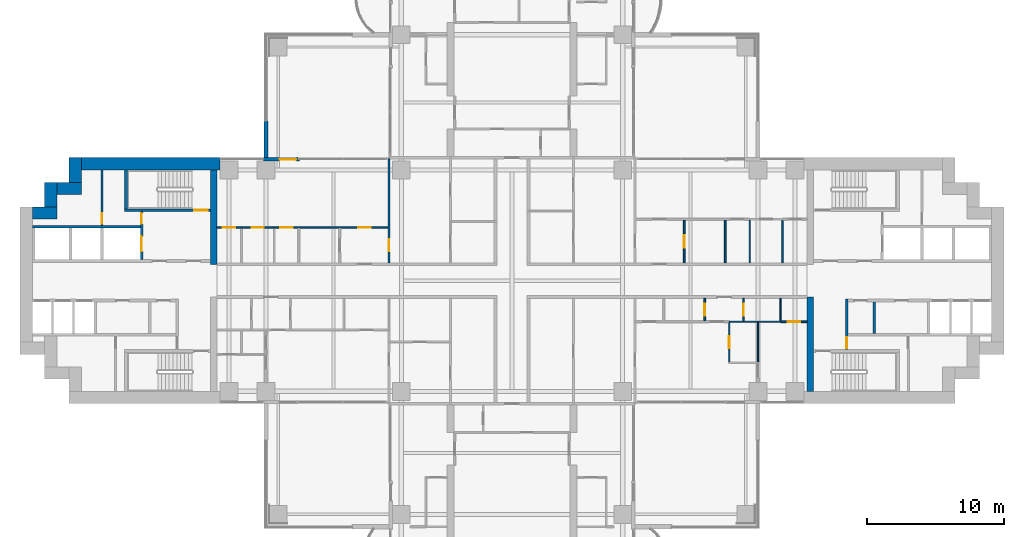
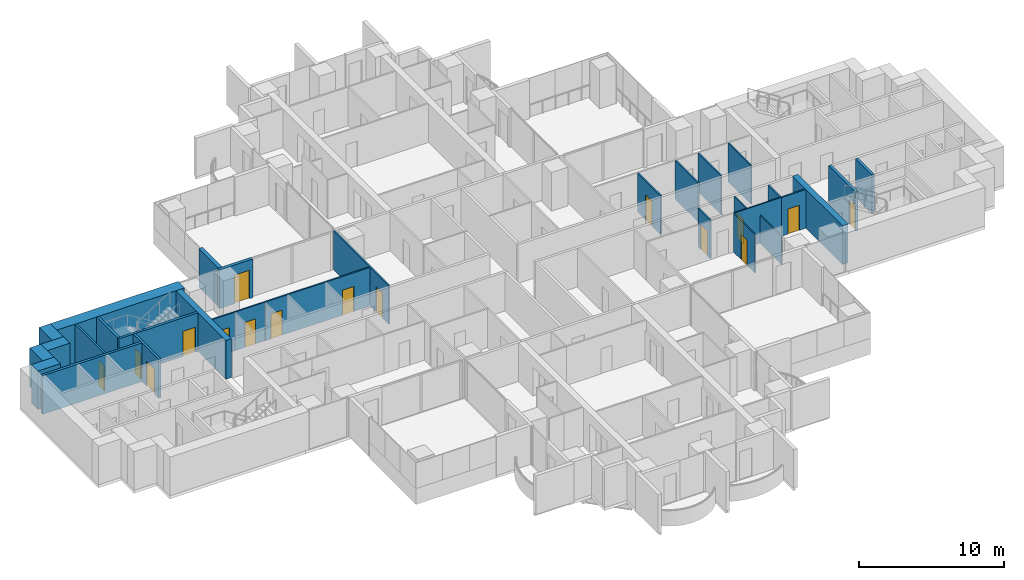
# One storey, part 13 of 21: 31 walls, 16 doors, 16 openings.
"""IFC4 building model written with IfcOpenShell, lengths in metres."""

from ifc_helpers import new_model, si_unit, direction, frame, frame_2d, origin, place, context, subcontext, project, spatial, rectangle, extrude, material, layer, layer_set, type_object, element, fill, save


model = new_model("IFC4")

# Units and contexts
model_context = context("Model", 3, precision=1e-05, world=origin(), true_north=direction((0.0, 1.0)))
body_context = subcontext(model_context, "Body", "Model", "MODEL_VIEW")
ifc_project = project(units=[si_unit("LENGTHUNIT", "METRE"), si_unit("AREAUNIT", "SQUARE_METRE"), si_unit("VOLUMEUNIT", "CUBIC_METRE"), si_unit("PLANEANGLEUNIT", "RADIAN"), si_unit("MASSUNIT", "GRAM", prefix="KILO")], contexts=[model_context])

# Site, building, storey
site_placement = place(None, origin())
site = spatial("IfcSite", under=ifc_project, at=site_placement, CompositionType="ELEMENT")
building_placement = place(site_placement, origin())
building = spatial("IfcBuilding", under=site, at=building_placement, Name="Perihelion Cross Residences", CompositionType="ELEMENT")
storey_placement = place(building_placement, frame((0.0, 0.0, 57.5)))
storey = spatial("IfcBuildingStorey", under=building, at=storey_placement, Name="L11", CompositionType="ELEMENT", Elevation=57.5)

# Wall, opening, door
ifc_material_1 = material(Name="Concrete C30/37, bronze-clad", Category="concrete")
ifc_layer_1 = layer(ifc_material_1, 0.25)
ifc_layer_set_1 = layer_set([ifc_layer_1], Name="Bronze-clad pier wall 250")
wall_type_1 = type_object("IfcWallType", Name="Bronze-clad pier wall 250", PredefinedType="SOLIDWALL", material=ifc_layer_set_1)
wall_1_placement = place(storey_placement, frame((-15.550048828125, 8.875, 0.0), z_axis=(0.0, 0.0, 1.0), x_axis=(-1.0, 0.0, 0.0)))
wall_1 = element("IfcWall", 1, at=wall_1_placement, inside=storey, type_object=wall_type_1, Name="Wall FW1 L11 west side north bay 1 pier", PredefinedType="SOLIDWALL", context=body_context, shape_type="SweptSolid", body=[
    extrude(rectangle(XDim=2.64990234375, YDim=0.25, at=frame_2d((1.324951171875, 0.0))), origin(), (0.0, 0.0, 1.0), 3.25),
])
opening_1_placement = place(wall_1_placement, frame((0.25, 0.0, 0.0)))
opening_1 = element("IfcOpeningElement", 2, at=opening_1_placement, cuts=wall_1, Name="Opening L11.E08", PredefinedType="OPENING", context=body_context, shape_type="SweptSolid", body=[
    extrude(rectangle(XDim=1.199951171875, YDim=2.39990234375, at=frame_2d((0.60009765625, 1.199951171875))), frame((0.0, 0.135009765625, 0.0), z_axis=(0.0, -1.0, 0.0), x_axis=(1.0, 0.0, 0.0)), (0.0, 0.0, 1.0), 0.27001953125),
])
ifc_material_2 = material(Name="Bronze anodised aluminium, glazed", Category="aluminium")
door_type_1 = type_object("IfcDoorType", Name="Balcony door 1200 x 2400", OperationType="NOTDEFINED", PredefinedType="DOOR", material=ifc_material_2)
door_1_placement = place(opening_1_placement, origin())
door_1 = element("IfcDoor", 3, at=door_1_placement, inside=storey, type_object=door_type_1, Name="Door L11.E08 west side north bay 1", OperationType="SINGLE_SWING_LEFT", OverallHeight=2.39990234375, OverallWidth=1.199951171875, PredefinedType="DOOR", context=body_context, shape_type="SweptSolid", body=[
    extrude(rectangle(XDim=1.199951171875, YDim=2.39990234375, at=frame_2d((0.60009765625, 1.199951171875))), frame((0.0, 0.02490234375, 0.0), z_axis=(0.0, -1.0, 0.0), x_axis=(1.0, 0.0, 0.0)), (0.0, 0.0, 1.0), 0.050048828125),
])
fill(opening_1, door_1)

# Walls
ifc_material_3 = material(Name="Concrete C60/75", Category="concrete")
ifc_layer_2 = layer(ifc_material_3, 0.449951171875)
ifc_layer_set_2 = layer_set([ifc_layer_2], Name="Core wall, inner 450")
wall_type_2 = type_object("IfcWallType", Name="Core wall, inner 450", PredefinedType="SHEAR", material=ifc_layer_set_2)
for number, where, z_axis, x_axis, name in (
    (4, (21.824951171875, -8.10009765625, 0.0), (0.0, 0.0, 1.0), (0.0, 1.0, 0.0), "East core core wall, inner"),
    (5, (-21.824951171875, 1.199951171875, 0.0), (0.0, 0.0, 1.0), (0.0, 1.0, 0.0), "West core core wall, inner"),
):
    element("IfcWall", number, at=place(storey_placement, frame(where, z_axis=z_axis, x_axis=x_axis)), inside=storey, type_object=wall_type_2, Name=name, PredefinedType="SHEAR", context=body_context, shape_type="SweptSolid", body=[
        extrude(rectangle(XDim=6.900146484375, YDim=0.449951171875, at=frame_2d((3.4501953125, 0.0))), origin(), (0.0, 0.0, 1.0), 3.25),
    ])
ifc_material_4 = material(Name="Concrete C60/75", Category="concrete")
ifc_layer_3 = layer(ifc_material_4, 0.89990234375)
ifc_layer_set_3 = layer_set([ifc_layer_3], Name="Core wall, outer 900")
wall_type_3 = type_object("IfcWallType", Name="Core wall, outer 900", PredefinedType="SHEAR", material=ifc_layer_set_3)
for number, where, z_axis, x_axis, name in (
    (6, (-35.10009765625, 4.949951171875, 0.0), (0.0, 0.0, 1.0), (1.0, 0.0, 0.0), "West core core wall, outer"),
    (7, (-33.75, 5.39990234375, 0.0), (0.0, 0.0, 1.0), (0.0, 1.0, 0.0), "West core core wall, outer"),
    (8, (-33.300048828125, 6.75, 0.0), (0.0, 0.0, 1.0), (1.0, 0.0, 0.0), "West core core wall, outer"),
    (9, (-31.949951171875, 7.199951171875, 0.0), (0.0, 0.0, 1.0), (0.0, 1.0, 0.0), "West core core wall, outer"),
):
    element("IfcWall", number, at=place(storey_placement, frame(where, z_axis=z_axis, x_axis=x_axis)), inside=storey, type_object=wall_type_3, Name=name, PredefinedType="SHEAR", context=body_context, shape_type="SweptSolid", body=[
        extrude(rectangle(XDim=1.800048828125, YDim=0.89990234375, at=frame_2d((0.89990234375, 0.0))), origin(), (0.0, 0.0, 1.0), 3.25),
    ])
wall_2_placement = place(storey_placement, frame((-31.5, 8.550048828125, 0.0), z_axis=(0.0, 0.0, 1.0), x_axis=(1.0, 0.0, 0.0)))
element("IfcWall", 10, at=wall_2_placement, inside=storey, type_object=wall_type_3, Name="West core core wall, outer", PredefinedType="SHEAR", context=body_context, shape_type="SweptSolid", body=[
    extrude(rectangle(XDim=10.14990234375, YDim=0.89990234375, at=frame_2d((5.074951171875, 0.0))), origin(), (0.0, 0.0, 1.0), 3.25),
])

# Wall, opening, door
ifc_material_5 = material(Name="Concrete C50/60", Category="concrete")
ifc_layer_4 = layer(ifc_material_5, 0.199951171875)
ifc_layer_set_4 = layer_set([ifc_layer_4], Name="Lobby wall 200")
wall_type_4 = type_object("IfcWallType", Name="Lobby wall 200", PredefinedType="SOLIDWALL", material=ifc_layer_set_4)
wall_3_placement = place(storey_placement, frame((24.5, -5.050048828125, 0.0), z_axis=(0.0, 0.0, 1.0), x_axis=(0.0, 1.0, 0.0)))
wall_3 = element("IfcWall", 11, at=wall_3_placement, inside=storey, type_object=wall_type_4, Name="East core lobby wall", PredefinedType="SOLIDWALL", context=body_context, shape_type="SweptSolid", body=[
    extrude(rectangle(XDim=3.699951171875, YDim=0.199951171875, at=frame_2d((1.85009765625, 0.0))), origin(), (0.0, 0.0, 1.0), 3.25),
])
opening_2_placement = place(wall_3_placement, frame((0.10009765625, 0.0, 0.0)))
opening_2 = element("IfcOpeningElement", 12, at=opening_2_placement, cuts=wall_3, Name="Opening L11.C08", PredefinedType="OPENING", context=body_context, shape_type="SweptSolid", body=[
    extrude(rectangle(XDim=0.800048828125, YDim=2.10009765625, at=frame_2d((0.39990234375, 1.050048828125))), frame((0.0, 0.10986328125, 0.0), z_axis=(0.0, -1.0, 0.0), x_axis=(1.0, 0.0, 0.0)), (0.0, 0.0, 1.0), 0.219970703125),
])
ifc_material_6 = material(Name="Steel, powder coated", Category="steel")
door_type_2 = type_object("IfcDoorType", Name="Riser door 800", OperationType="SINGLE_SWING_LEFT", PredefinedType="DOOR", material=ifc_material_6)
door_2_placement = place(opening_2_placement, origin())
door_2 = element("IfcDoor", 13, at=door_2_placement, inside=storey, type_object=door_type_2, Name="East core riser door", OperationType="SINGLE_SWING_LEFT", OverallHeight=2.10009765625, OverallWidth=0.800048828125, PredefinedType="DOOR", context=body_context, shape_type="SweptSolid", body=[
    extrude(rectangle(XDim=0.800048828125, YDim=2.10009765625, at=frame_2d((0.39990234375, 1.050048828125))), frame((0.0, 0.02490234375, 0.0), z_axis=(0.0, -1.0, 0.0), x_axis=(1.0, 0.0, 0.0)), (0.0, 0.0, 1.0), 0.050048828125),
])
fill(opening_2, door_2)

ifc_material_7 = material(Name="Plasterboard partition")
ifc_layer_5 = layer(ifc_material_7, 0.1201171875)
ifc_layer_set_5 = layer_set([ifc_layer_5], Name="Partition wall 120")
wall_type_5 = type_object("IfcWallType", Name="Partition wall 120", PredefinedType="PARTITIONING", material=ifc_layer_set_5)
wall_4_placement = place(storey_placement, frame((12.60009765625, 4.43994140625, 0.0), z_axis=(0.0, 0.0, 1.0), x_axis=(0.0, -1.0, 0.0)))
wall_4 = element("IfcWall", 14, at=wall_4_placement, inside=storey, type_object=wall_type_5, Name="Partition L11 W011", PredefinedType="PARTITIONING", context=body_context, shape_type="SweptSolid", body=[
    extrude(rectangle(XDim=3.139892578125, YDim=0.1201171875, at=frame_2d((1.56982421875, 0.0))), origin(), (0.0, 0.0, 1.0), 3.25),
])
opening_3_placement = place(wall_4_placement, frame((1.1201171875, 0.0, 0.0)))
opening_3 = element("IfcOpeningElement", 15, at=opening_3_placement, cuts=wall_4, Name="Opening L11.A05", PredefinedType="OPENING", context=body_context, shape_type="SweptSolid", body=[
    extrude(rectangle(XDim=0.89990234375, YDim=2.10009765625, at=frame_2d((0.449951171875, 1.050048828125))), frame((0.0, 0.070068359375, 0.0), z_axis=(0.0, -1.0, 0.0), x_axis=(1.0, 0.0, 0.0)), (0.0, 0.0, 1.0), 0.14013671875),
])
ifc_material_8 = material(Name="Timber door leaf", Category="wood")
door_type_3 = type_object("IfcDoorType", Name="Interior room door 900 x 2100", OperationType="SINGLE_SWING_LEFT", PredefinedType="DOOR", material=ifc_material_8)
door_3_placement = place(opening_3_placement, origin())
door_3 = element("IfcDoor", 16, at=door_3_placement, inside=storey, type_object=door_type_3, Name="Door L11.A05", OperationType="SINGLE_SWING_LEFT", OverallHeight=2.10009765625, OverallWidth=0.89990234375, PredefinedType="DOOR", context=body_context, shape_type="SweptSolid", body=[
    extrude(rectangle(XDim=0.89990234375, YDim=2.10009765625, at=frame_2d((0.449951171875, 1.050048828125))), frame((0.0, 0.02490234375, 0.0), z_axis=(0.0, -1.0, 0.0), x_axis=(1.0, 0.0, 0.0)), (0.0, 0.0, 1.0), 0.050048828125),
])
fill(opening_3, door_3)

# Wall
wall_5_placement = place(storey_placement, frame((15.60009765625, 4.43994140625, 0.0), z_axis=(0.0, 0.0, 1.0), x_axis=(0.0, -1.0, 0.0)))
element("IfcWall", 17, at=wall_5_placement, inside=storey, type_object=wall_type_5, Name="Partition L11 W014", PredefinedType="PARTITIONING", context=body_context, shape_type="SweptSolid", body=[
    extrude(rectangle(XDim=3.139892578125, YDim=0.1201171875, at=frame_2d((1.56982421875, 0.0))), origin(), (0.0, 0.0, 1.0), 3.25),
])

# Wall, opening, door
wall_6_placement = place(storey_placement, frame((14.10009765625, -1.300048828125, 0.0), z_axis=(0.0, 0.0, 1.0), x_axis=(0.0, -1.0, 0.0)))
wall_6 = element("IfcWall", 18, at=wall_6_placement, inside=storey, type_object=wall_type_5, Name="Partition L11 W025", PredefinedType="PARTITIONING", context=body_context, shape_type="SweptSolid", body=[
    extrude(rectangle(XDim=1.639892578125, YDim=0.1201171875, at=frame_2d((0.81982421875, 0.0))), origin(), (0.0, 0.0, 1.0), 3.25),
])
opening_4_placement = place(wall_6_placement, frame((0.3701171875, 0.0, 0.0)))
opening_4 = element("IfcOpeningElement", 19, at=opening_4_placement, cuts=wall_6, Name="Opening L11.A11", PredefinedType="OPENING", context=body_context, shape_type="SweptSolid", body=[
    extrude(rectangle(XDim=0.89990234375, YDim=2.10009765625, at=frame_2d((0.449951171875, 1.050048828125))), frame((0.0, 0.070068359375, 0.0), z_axis=(0.0, -1.0, 0.0), x_axis=(1.0, 0.0, 0.0)), (0.0, 0.0, 1.0), 0.14013671875),
])
door_4_placement = place(opening_4_placement, origin())
door_4 = element("IfcDoor", 20, at=door_4_placement, inside=storey, type_object=door_type_3, Name="Door L11.A11", OperationType="SINGLE_SWING_RIGHT", OverallHeight=2.10009765625, OverallWidth=0.89990234375, PredefinedType="DOOR", context=body_context, shape_type="SweptSolid", body=[
    extrude(rectangle(XDim=0.89990234375, YDim=2.10009765625, at=frame_2d((0.449951171875, 1.050048828125))), frame((0.0, 0.02490234375, 0.0), z_axis=(0.0, -1.0, 0.0), x_axis=(1.0, 0.0, 0.0)), (0.0, 0.0, 1.0), 0.050048828125),
])
fill(opening_4, door_4)

wall_7_placement = place(storey_placement, frame((21.60009765625, -3.0, 0.0), z_axis=(0.0, 0.0, 1.0), x_axis=(-1.0, 0.0, 0.0)))
wall_7 = element("IfcWall", 21, at=wall_7_placement, inside=storey, type_object=wall_type_5, Name="Partition L11 W029", PredefinedType="PARTITIONING", context=body_context, shape_type="SweptSolid", body=[
    extrude(rectangle(XDim=1.9501953125, YDim=0.1201171875, at=frame_2d((0.97509765625, 0.0))), origin(), (0.0, 0.0, 1.0), 3.25),
])
opening_5_placement = place(wall_7_placement, frame((0.52490234375, 0.0, 0.0)))
opening_5 = element("IfcOpeningElement", 22, at=opening_5_placement, cuts=wall_7, Name="Opening L11.A17", PredefinedType="OPENING", context=body_context, shape_type="SweptSolid", body=[
    extrude(rectangle(XDim=0.89990234375, YDim=2.10009765625, at=frame_2d((0.449951171875, 1.050048828125))), frame((0.0, 0.070068359375, 0.0), z_axis=(0.0, -1.0, 0.0), x_axis=(1.0, 0.0, 0.0)), (0.0, 0.0, 1.0), 0.14013671875),
])
door_5_placement = place(opening_5_placement, origin())
door_5 = element("IfcDoor", 23, at=door_5_placement, inside=storey, type_object=door_type_3, Name="Door L11.A17", OperationType="SINGLE_SWING_RIGHT", OverallHeight=2.10009765625, OverallWidth=0.89990234375, PredefinedType="DOOR", context=body_context, shape_type="SweptSolid", body=[
    extrude(rectangle(XDim=0.89990234375, YDim=2.10009765625, at=frame_2d((0.449951171875, 1.050048828125))), frame((0.0, 0.02490234375, 0.0), z_axis=(0.0, -1.0, 0.0), x_axis=(1.0, 0.0, 0.0)), (0.0, 0.0, 1.0), 0.050048828125),
])
fill(opening_5, door_5)

# Wall, openings, doors
wall_8_placement = place(storey_placement, frame((-17.39990234375, 3.89990234375, 0.0), z_axis=(0.0, 0.0, 1.0), x_axis=(1.0, 0.0, 0.0)))
wall_8 = element("IfcWall", 24, at=wall_8_placement, inside=storey, type_object=wall_type_5, Name="Partition L11 W036", PredefinedType="PARTITIONING", context=body_context, shape_type="SweptSolid", body=[
    extrude(rectangle(XDim=8.4599609375, YDim=0.1201171875, at=frame_2d((4.22998046875, 0.0))), origin(), (0.0, 0.0, 1.0), 3.25),
])
opening_6_placement = place(wall_8_placement, frame((0.449951171875, 0.0, 0.0)))
opening_6 = element("IfcOpeningElement", 25, at=opening_6_placement, cuts=wall_8, Name="Opening L11.A21", PredefinedType="OPENING", context=body_context, shape_type="SweptSolid", body=[
    extrude(rectangle(XDim=0.89990234375, YDim=2.10009765625, at=frame_2d((0.449951171875, 1.050048828125))), frame((0.0, 0.070068359375, 0.0), z_axis=(0.0, -1.0, 0.0), x_axis=(1.0, 0.0, 0.0)), (0.0, 0.0, 1.0), 0.14013671875),
])
opening_7_placement = place(wall_8_placement, frame((6.14990234375, 0.0, 0.0)))
opening_7 = element("IfcOpeningElement", 26, at=opening_7_placement, cuts=wall_8, Name="Opening L11.A25", PredefinedType="OPENING", context=body_context, shape_type="SweptSolid", body=[
    extrude(rectangle(XDim=0.89990234375, YDim=2.10009765625, at=frame_2d((0.449951171875, 1.050048828125))), frame((0.0, 0.070068359375, 0.0), z_axis=(0.0, -1.0, 0.0), x_axis=(1.0, 0.0, 0.0)), (0.0, 0.0, 1.0), 0.14013671875),
])
door_6_placement = place(opening_6_placement, origin())
door_6 = element("IfcDoor", 27, at=door_6_placement, inside=storey, type_object=door_type_3, Name="Door L11.A21", OperationType="SINGLE_SWING_LEFT", OverallHeight=2.10009765625, OverallWidth=0.89990234375, PredefinedType="DOOR", context=body_context, shape_type="SweptSolid", body=[
    extrude(rectangle(XDim=0.89990234375, YDim=2.10009765625, at=frame_2d((0.449951171875, 1.050048828125))), frame((0.0, 0.02490234375, 0.0), z_axis=(0.0, -1.0, 0.0), x_axis=(1.0, 0.0, 0.0)), (0.0, 0.0, 1.0), 0.050048828125),
])
fill(opening_6, door_6)
door_7_placement = place(opening_7_placement, origin())
door_7 = element("IfcDoor", 28, at=door_7_placement, inside=storey, type_object=door_type_3, Name="Door L11.A25", OperationType="SINGLE_SWING_LEFT", OverallHeight=2.10009765625, OverallWidth=0.89990234375, PredefinedType="DOOR", context=body_context, shape_type="SweptSolid", body=[
    extrude(rectangle(XDim=0.89990234375, YDim=2.10009765625, at=frame_2d((0.449951171875, 1.050048828125))), frame((0.0, 0.02490234375, 0.0), z_axis=(0.0, -1.0, 0.0), x_axis=(1.0, 0.0, 0.0)), (0.0, 0.0, 1.0), 0.050048828125),
])
fill(opening_7, door_7)

# Wall, opening, door
wall_9_placement = place(storey_placement, frame((-9.0, 8.919921875, 0.0), z_axis=(0.0, 0.0, 1.0), x_axis=(0.0, -1.0, 0.0)))
wall_9 = element("IfcWall", 29, at=wall_9_placement, inside=storey, type_object=wall_type_5, Name="Partition L11 W037", PredefinedType="PARTITIONING", context=body_context, shape_type="SweptSolid", body=[
    extrude(rectangle(XDim=7.619873046875, YDim=0.1201171875, at=frame_2d((3.81005859375, 0.0))), origin(), (0.0, 0.0, 1.0), 3.25),
])
opening_8_placement = place(wall_9_placement, frame((5.8701171875, 0.0, 0.0)))
opening_8 = element("IfcOpeningElement", 30, at=opening_8_placement, cuts=wall_9, Name="Opening L11.A22", PredefinedType="OPENING", context=body_context, shape_type="SweptSolid", body=[
    extrude(rectangle(XDim=0.89990234375, YDim=2.10009765625, at=frame_2d((0.449951171875, 1.050048828125))), frame((0.0, 0.070068359375, 0.0), z_axis=(0.0, -1.0, 0.0), x_axis=(1.0, 0.0, 0.0)), (0.0, 0.0, 1.0), 0.14013671875),
])
door_8_placement = place(opening_8_placement, origin())
door_8 = element("IfcDoor", 31, at=door_8_placement, inside=storey, type_object=door_type_3, Name="Door L11.A22", OperationType="SINGLE_SWING_RIGHT", OverallHeight=2.10009765625, OverallWidth=0.89990234375, PredefinedType="DOOR", context=body_context, shape_type="SweptSolid", body=[
    extrude(rectangle(XDim=0.89990234375, YDim=2.10009765625, at=frame_2d((0.449951171875, 1.050048828125))), frame((0.0, 0.02490234375, 0.0), z_axis=(0.0, -1.0, 0.0), x_axis=(1.0, 0.0, 0.0)), (0.0, 0.0, 1.0), 0.050048828125),
])
fill(opening_8, door_8)

wall_10_placement = place(storey_placement, frame((-21.60009765625, 3.89990234375, 0.0), z_axis=(0.0, 0.0, 1.0), x_axis=(1.0, 0.0, 0.0)))
wall_10 = element("IfcWall", 32, at=wall_10_placement, inside=storey, type_object=wall_type_5, Name="Partition L11 W042", PredefinedType="PARTITIONING", context=body_context, shape_type="SweptSolid", body=[
    extrude(rectangle(XDim=1.800048828125, YDim=0.1201171875, at=frame_2d((0.89990234375, 0.0))), origin(), (0.0, 0.0, 1.0), 3.25),
])
opening_9_placement = place(wall_10_placement, frame((0.449951171875, 0.0, 0.0)))
opening_9 = element("IfcOpeningElement", 33, at=opening_9_placement, cuts=wall_10, Name="Opening L11.A19", PredefinedType="OPENING", context=body_context, shape_type="SweptSolid", body=[
    extrude(rectangle(XDim=0.89990234375, YDim=2.10009765625, at=frame_2d((0.449951171875, 1.050048828125))), frame((0.0, 0.070068359375, 0.0), z_axis=(0.0, -1.0, 0.0), x_axis=(1.0, 0.0, 0.0)), (0.0, 0.0, 1.0), 0.14013671875),
])
door_9_placement = place(opening_9_placement, origin())
door_9 = element("IfcDoor", 34, at=door_9_placement, inside=storey, type_object=door_type_3, Name="Door L11.A19", OperationType="SINGLE_SWING_RIGHT", OverallHeight=2.10009765625, OverallWidth=0.89990234375, PredefinedType="DOOR", context=body_context, shape_type="SweptSolid", body=[
    extrude(rectangle(XDim=0.89990234375, YDim=2.10009765625, at=frame_2d((0.449951171875, 1.050048828125))), frame((0.0, 0.02490234375, 0.0), z_axis=(0.0, -1.0, 0.0), x_axis=(1.0, 0.0, 0.0)), (0.0, 0.0, 1.0), 0.050048828125),
])
fill(opening_9, door_9)

# Wall
ifc_material_9 = material(Name="Precast concrete C50/60", Category="concrete")
ifc_layer_6 = layer(ifc_material_9, 0.300048828125)
ifc_layer_set_6 = layer_set([ifc_layer_6], Name="Precast concrete C50/60 blade wall 300")
wall_type_6 = type_object("IfcWallType", Name="Precast concrete C50/60 blade wall 300", PredefinedType="SOLIDWALL", material=ifc_layer_set_6)
wall_11_placement = place(storey_placement, frame((-18.0, 8.75, 0.0), z_axis=(0.0, 0.0, 1.0), x_axis=(0.0, 1.0, 0.0)))
element("IfcWall", 35, at=wall_11_placement, inside=storey, type_object=wall_type_6, Name="Wall BL1 L11 no. 2", PredefinedType="SOLIDWALL", context=body_context, shape_type="SweptSolid", body=[
    extrude(rectangle(XDim=2.949951171875, YDim=0.300048828125, at=frame_2d((1.47509765625, 0.0))), origin(), (0.0, 0.0, 1.0), 3.25),
])

# Wall, opening, door
ifc_material_10 = material(Name="Fire-rated board on steel stud", Category="steel")
ifc_layer_7 = layer(ifc_material_10, 0.14990234375)
ifc_layer_set_7 = layer_set([ifc_layer_7], Name="Riser wall 150")
wall_type_7 = type_object("IfcWallType", Name="Riser wall 150", PredefinedType="PARTITIONING", material=ifc_layer_set_7)
wall_12_placement = place(storey_placement, frame((-30.0, 4.050048828125, 0.0), z_axis=(0.0, 0.0, 1.0), x_axis=(0.0, 1.0, 0.0)))
wall_12 = element("IfcWall", 36, at=wall_12_placement, inside=storey, type_object=wall_type_7, Name="West core riser wall", PredefinedType="PARTITIONING", context=body_context, shape_type="SweptSolid", body=[
    extrude(rectangle(XDim=4.050048828125, YDim=0.14990234375, at=frame_2d((2.02490234375, 0.0))), origin(), (0.0, 0.0, 1.0), 3.25),
])
opening_10_placement = place(wall_12_placement, frame((0.10009765625, 0.0, 0.0)))
opening_10 = element("IfcOpeningElement", 37, at=opening_10_placement, cuts=wall_12, Name="Opening L11.C28", PredefinedType="OPENING", context=body_context, shape_type="SweptSolid", body=[
    extrude(rectangle(XDim=0.800048828125, YDim=2.10009765625, at=frame_2d((0.39990234375, 1.050048828125))), frame((0.0, 0.0849609375, 0.0), z_axis=(0.0, -1.0, 0.0), x_axis=(1.0, 0.0, 0.0)), (0.0, 0.0, 1.0), 0.169921875),
])
door_10_placement = place(opening_10_placement, origin())
door_10 = element("IfcDoor", 38, at=door_10_placement, inside=storey, type_object=door_type_2, Name="West core riser door", OperationType="SINGLE_SWING_LEFT", OverallHeight=2.10009765625, OverallWidth=0.800048828125, PredefinedType="DOOR", context=body_context, shape_type="SweptSolid", body=[
    extrude(rectangle(XDim=0.800048828125, YDim=2.10009765625, at=frame_2d((0.39990234375, 1.050048828125))), frame((0.0, 0.02490234375, 0.0), z_axis=(0.0, -1.0, 0.0), x_axis=(1.0, 0.0, 0.0)), (0.0, 0.0, 1.0), 0.050048828125),
])
fill(opening_10, door_10)

# Walls
ifc_material_11 = material(Name="Fire-rated board on steel stud", Category="steel")
ifc_layer_8 = layer(ifc_material_11, 0.199951171875)
ifc_layer_set_8 = layer_set([ifc_layer_8], Name="Riser wall 200")
wall_type_8 = type_object("IfcWallType", Name="Riser wall 200", PredefinedType="PARTITIONING", material=ifc_layer_set_8)
wall_13_placement = place(storey_placement, frame((26.5, -3.85009765625, 0.0), z_axis=(0.0, 0.0, 1.0), x_axis=(0.0, 1.0, 0.0)))
element("IfcWall", 39, at=wall_13_placement, inside=storey, type_object=wall_type_8, Name="East core riser wall", PredefinedType="PARTITIONING", context=body_context, shape_type="SweptSolid", body=[
    extrude(rectangle(XDim=2.300048828125, YDim=0.199951171875, at=frame_2d((1.14990234375, 0.0))), origin(), (0.0, 0.0, 1.0), 3.25),
])
ifc_material_12 = material(Name="Concrete C50/60", Category="concrete")
ifc_layer_9 = layer(ifc_material_12, 0.199951171875)
ifc_layer_set_9 = layer_set([ifc_layer_9], Name="Shaft wall 200")
wall_type_9 = type_object("IfcWallType", Name="Shaft wall 200", PredefinedType="SOLIDWALL", material=ifc_layer_set_9)
wall_14_placement = place(storey_placement, frame((-35.10009765625, 3.949951171875, 0.0), z_axis=(0.0, 0.0, 1.0), x_axis=(1.0, 0.0, 0.0)))
element("IfcWall", 40, at=wall_14_placement, inside=storey, type_object=wall_type_9, Name="West core shaft wall", PredefinedType="SOLIDWALL", context=body_context, shape_type="SweptSolid", body=[
    extrude(rectangle(XDim=7.900146484375, YDim=0.199951171875, at=frame_2d((3.9501953125, 0.0))), origin(), (0.0, 0.0, 1.0), 3.25),
])

# Wall, openings, doors
wall_15_placement = place(storey_placement, frame((-27.10009765625, 1.550048828125, 0.0), z_axis=(0.0, 0.0, 1.0), x_axis=(0.0, 1.0, 0.0)))
wall_15 = element("IfcWall", 41, at=wall_15_placement, inside=storey, type_object=wall_type_9, Name="West core shaft wall", PredefinedType="SOLIDWALL", context=body_context, shape_type="SweptSolid", body=[
    extrude(rectangle(XDim=3.5, YDim=0.199951171875, at=frame_2d((1.75, 0.0))), origin(), (0.0, 0.0, 1.0), 3.25),
])
opening_11_placement = place(wall_15_placement, frame((0.60009765625, 0.0, 0.0)))
opening_11 = element("IfcOpeningElement", 42, at=opening_11_placement, cuts=wall_15, Name="Opening L11.C15", PredefinedType="OPENING", context=body_context, shape_type="SweptSolid", body=[
    extrude(rectangle(XDim=1.10009765625, YDim=2.10009765625, at=frame_2d((0.550048828125, 1.050048828125))), frame((0.0, 0.10986328125, 0.0), z_axis=(0.0, -1.0, 0.0), x_axis=(1.0, 0.0, 0.0)), (0.0, 0.0, 1.0), 0.219970703125),
])
opening_12_placement = place(wall_15_placement, frame((2.60009765625, 0.0, 0.0)))
opening_12 = element("IfcOpeningElement", 43, at=opening_12_placement, cuts=wall_15, Name="Opening L11.C25", PredefinedType="OPENING", context=body_context, shape_type="SweptSolid", body=[
    extrude(rectangle(XDim=0.800048828125, YDim=2.10009765625, at=frame_2d((0.39990234375, 1.050048828125))), frame((0.0, 0.10986328125, 0.0), z_axis=(0.0, -1.0, 0.0), x_axis=(1.0, 0.0, 0.0)), (0.0, 0.0, 1.0), 0.219970703125),
])
ifc_material_13 = material(Name="Stainless steel", Category="steel")
door_type_4 = type_object("IfcDoorType", Name="Landing door, firefighting lift 1100", OperationType="DOUBLE_DOOR_SLIDING", PredefinedType="DOOR", material=ifc_material_13)
door_11_placement = place(opening_11_placement, origin())
door_11 = element("IfcDoor", 44, at=door_11_placement, inside=storey, type_object=door_type_4, Name="Landing door, West core firefighting and service lift", OperationType="DOUBLE_DOOR_SLIDING", OverallHeight=2.10009765625, OverallWidth=1.10009765625, PredefinedType="DOOR", context=body_context, shape_type="SweptSolid", body=[
    extrude(rectangle(XDim=1.10009765625, YDim=2.10009765625, at=frame_2d((0.550048828125, 1.050048828125))), frame((0.0, 0.02490234375, 0.0), z_axis=(0.0, -1.0, 0.0), x_axis=(1.0, 0.0, 0.0)), (0.0, 0.0, 1.0), 0.050048828125),
])
fill(opening_11, door_11)
door_12_placement = place(opening_12_placement, origin())
door_12 = element("IfcDoor", 45, at=door_12_placement, inside=storey, type_object=door_type_2, Name="West core riser door", OperationType="SINGLE_SWING_LEFT", OverallHeight=2.10009765625, OverallWidth=0.800048828125, PredefinedType="DOOR", context=body_context, shape_type="SweptSolid", body=[
    extrude(rectangle(XDim=0.800048828125, YDim=2.10009765625, at=frame_2d((0.39990234375, 1.050048828125))), frame((0.0, 0.02490234375, 0.0), z_axis=(0.0, -1.0, 0.0), x_axis=(1.0, 0.0, 0.0)), (0.0, 0.0, 1.0), 0.050048828125),
])
fill(opening_12, door_12)

# Wall, opening, door
ifc_material_14 = material(Name="Concrete C50/60", Category="concrete")
ifc_layer_10 = layer(ifc_material_14, 0.199951171875)
ifc_layer_set_10 = layer_set([ifc_layer_10], Name="Stair wall 200")
wall_type_10 = type_object("IfcWallType", Name="Stair wall 200", PredefinedType="SOLIDWALL", material=ifc_layer_set_10)
wall_16_placement = place(storey_placement, frame((-28.35009765625, 5.14990234375, 0.0), z_axis=(0.0, 0.0, 1.0), x_axis=(1.0, 0.0, 0.0)))
wall_16 = element("IfcWall", 46, at=wall_16_placement, inside=storey, type_object=wall_type_10, Name="West core stair wall", PredefinedType="SOLIDWALL", context=body_context, shape_type="SweptSolid", body=[
    extrude(rectangle(XDim=6.300048828125, YDim=0.199951171875, at=frame_2d((3.14990234375, 0.0))), origin(), (0.0, 0.0, 1.0), 3.25),
])
opening_13_placement = place(wall_16_placement, frame((5.10009765625, 0.0, 0.0)))
opening_13 = element("IfcOpeningElement", 47, at=opening_13_placement, cuts=wall_16, Name="Opening L11.C20", PredefinedType="OPENING", context=body_context, shape_type="SweptSolid", body=[
    extrude(rectangle(XDim=1.0, YDim=2.10009765625, at=frame_2d((0.5, 1.050048828125))), frame((0.0, 0.10986328125, 0.0), z_axis=(0.0, -1.0, 0.0), x_axis=(1.0, 0.0, 0.0)), (0.0, 0.0, 1.0), 0.219970703125),
])
ifc_material_15 = material(Name="Steel, powder coated", Category="steel")
door_type_5 = type_object("IfcDoorType", Name="Stair door 1000", OperationType="SINGLE_SWING_LEFT", PredefinedType="DOOR", material=ifc_material_15)
door_13_placement = place(opening_13_placement, origin())
door_13 = element("IfcDoor", 48, at=door_13_placement, inside=storey, type_object=door_type_5, Name="West core stair door", OperationType="SINGLE_SWING_LEFT", OverallHeight=2.10009765625, OverallWidth=1.0, PredefinedType="DOOR", context=body_context, shape_type="SweptSolid", body=[
    extrude(rectangle(XDim=1.0, YDim=2.10009765625, at=frame_2d((0.5, 1.050048828125))), frame((0.0, 0.02490234375, 0.0), z_axis=(0.0, -1.0, 0.0), x_axis=(1.0, 0.0, 0.0)), (0.0, 0.0, 1.0), 0.050048828125),
])
fill(opening_13, door_13)

# Walls
wall_17_placement = place(storey_placement, frame((-28.25, 5.25, 0.0), z_axis=(0.0, 0.0, 1.0), x_axis=(0.0, 1.0, 0.0)))
element("IfcWall", 49, at=wall_17_placement, inside=storey, type_object=wall_type_10, Name="West core stair wall", PredefinedType="SOLIDWALL", context=body_context, shape_type="SweptSolid", body=[
    extrude(rectangle(XDim=2.85009765625, YDim=0.199951171875, at=frame_2d((1.425048828125, 0.0))), origin(), (0.0, 0.0, 1.0), 3.25),
])
ifc_material_16 = material(Name="Plasterboard partition")
ifc_layer_11 = layer(ifc_material_16, 0.10009765625)
ifc_layer_set_11 = layer_set([ifc_layer_11], Name="Wet room wall 100")
wall_type_11 = type_object("IfcWallType", Name="Wet room wall 100", PredefinedType="PARTITIONING", material=ifc_layer_set_11)
for number, where, z_axis, x_axis, name in (
    (50, (17.39990234375, 4.43994140625, 0.0), (0.0, 0.0, 1.0), (0.0, -1.0, 0.0), "Partition L11 W015"),
    (51, (19.800048828125, 4.43994140625, 0.0), (0.0, 0.0, 1.0), (0.0, -1.0, 0.0), "Partition L11 W016"),
):
    element("IfcWall", number, at=place(storey_placement, frame(where, z_axis=z_axis, x_axis=x_axis)), inside=storey, type_object=wall_type_11, Name=name, PredefinedType="PARTITIONING", context=body_context, shape_type="SweptSolid", body=[
        extrude(rectangle(XDim=3.139892578125, YDim=0.10009765625, at=frame_2d((1.56982421875, 0.0))), origin(), (0.0, 0.0, 1.0), 3.25),
    ])

# Wall, opening, door
wall_18_placement = place(storey_placement, frame((16.949951171875, -1.300048828125, 0.0), z_axis=(0.0, 0.0, 1.0), x_axis=(0.0, -1.0, 0.0)))
wall_18 = element("IfcWall", 52, at=wall_18_placement, inside=storey, type_object=wall_type_11, Name="Partition L11 W026", PredefinedType="PARTITIONING", context=body_context, shape_type="SweptSolid", body=[
    extrude(rectangle(XDim=1.64990234375, YDim=0.10009765625, at=frame_2d((0.824951171875, 0.0))), origin(), (0.0, 0.0, 1.0), 3.25),
])
opening_14_placement = place(wall_18_placement, frame((0.39990234375, 0.0, 0.0)))
opening_14 = element("IfcOpeningElement", 53, at=opening_14_placement, cuts=wall_18, Name="Opening L11.A09", PredefinedType="OPENING", context=body_context, shape_type="SweptSolid", body=[
    extrude(rectangle(XDim=0.85009765625, YDim=2.10009765625, at=frame_2d((0.425048828125, 1.050048828125))), frame((0.0, 0.06005859375, 0.0), z_axis=(0.0, -1.0, 0.0), x_axis=(1.0, 0.0, 0.0)), (0.0, 0.0, 1.0), 0.1201171875),
])
ifc_material_17 = material(Name="Timber door leaf", Category="wood")
door_type_6 = type_object("IfcDoorType", Name="Interior bathroom door 850 x 2100", OperationType="SINGLE_SWING_LEFT", PredefinedType="DOOR", material=ifc_material_17)
door_14_placement = place(opening_14_placement, origin())
door_14 = element("IfcDoor", 54, at=door_14_placement, inside=storey, type_object=door_type_6, Name="Door L11.A09", OperationType="SINGLE_SWING_RIGHT", OverallHeight=2.10009765625, OverallWidth=0.85009765625, PredefinedType="DOOR", context=body_context, shape_type="SweptSolid", body=[
    extrude(rectangle(XDim=0.85009765625, YDim=2.10009765625, at=frame_2d((0.425048828125, 1.050048828125))), frame((0.0, 0.02490234375, 0.0), z_axis=(0.0, -1.0, 0.0), x_axis=(1.0, 0.0, 0.0)), (0.0, 0.0, 1.0), 0.050048828125),
])
fill(opening_14, door_14)

# Walls
wall_19_placement = place(storey_placement, frame((19.64990234375, -3.0, 0.0), z_axis=(0.0, 0.0, 1.0), x_axis=(-1.0, 0.0, 0.0)))
element("IfcWall", 55, at=wall_19_placement, inside=storey, type_object=wall_type_11, Name="Partition L11 W027", PredefinedType="PARTITIONING", context=body_context, shape_type="SweptSolid", body=[
    extrude(rectangle(XDim=3.75, YDim=0.10009765625, at=frame_2d((1.875, 0.0))), origin(), (0.0, 0.0, 1.0), 3.25),
])
wall_20_placement = place(storey_placement, frame((19.64990234375, -1.300048828125, 0.0), z_axis=(0.0, 0.0, 1.0), x_axis=(0.0, -1.0, 0.0)))
element("IfcWall", 56, at=wall_20_placement, inside=storey, type_object=wall_type_11, Name="Partition L11 W028", PredefinedType="PARTITIONING", context=body_context, shape_type="SweptSolid", body=[
    extrude(rectangle(XDim=1.639892578125, YDim=0.10009765625, at=frame_2d((0.81982421875, 0.0))), origin(), (0.0, 0.0, 1.0), 3.25),
])

# Wall, opening, door
wall_21_placement = place(storey_placement, frame((15.89990234375, -3.06005859375, 0.0), z_axis=(0.0, 0.0, 1.0), x_axis=(0.0, -1.0, 0.0)))
wall_21 = element("IfcWall", 57, at=wall_21_placement, inside=storey, type_object=wall_type_11, Name="Partition L11 W030", PredefinedType="PARTITIONING", context=body_context, shape_type="SweptSolid", body=[
    extrude(rectangle(XDim=2.889892578125, YDim=0.10009765625, at=frame_2d((1.44482421875, 0.0))), origin(), (0.0, 0.0, 1.0), 3.25),
])
opening_15_placement = place(wall_21_placement, frame((1.02001953125, 0.0, 0.0)))
opening_15 = element("IfcOpeningElement", 58, at=opening_15_placement, cuts=wall_21, Name="Opening L11.A13", PredefinedType="OPENING", context=body_context, shape_type="SweptSolid", body=[
    extrude(rectangle(XDim=0.85009765625, YDim=2.10009765625, at=frame_2d((0.425048828125, 1.050048828125))), frame((0.0, 0.06005859375, 0.0), z_axis=(0.0, -1.0, 0.0), x_axis=(1.0, 0.0, 0.0)), (0.0, 0.0, 1.0), 0.1201171875),
])
door_15_placement = place(opening_15_placement, origin())
door_15 = element("IfcDoor", 59, at=door_15_placement, inside=storey, type_object=door_type_6, Name="Door L11.A13", OperationType="SINGLE_SWING_RIGHT", OverallHeight=2.10009765625, OverallWidth=0.85009765625, PredefinedType="DOOR", context=body_context, shape_type="SweptSolid", body=[
    extrude(rectangle(XDim=0.85009765625, YDim=2.10009765625, at=frame_2d((0.425048828125, 1.050048828125))), frame((0.0, 0.02490234375, 0.0), z_axis=(0.0, -1.0, 0.0), x_axis=(1.0, 0.0, 0.0)), (0.0, 0.0, 1.0), 0.050048828125),
])
fill(opening_15, door_15)

# Wall
wall_22_placement = place(storey_placement, frame((18.0, -3.050048828125, 0.0), z_axis=(0.0, 0.0, 1.0), x_axis=(0.0, -1.0, 0.0)))
element("IfcWall", 60, at=wall_22_placement, inside=storey, type_object=wall_type_11, Name="Partition L11 W033", PredefinedType="PARTITIONING", context=body_context, shape_type="SweptSolid", body=[
    extrude(rectangle(XDim=2.949951171875, YDim=0.10009765625, at=frame_2d((1.47509765625, 0.0))), origin(), (0.0, 0.0, 1.0), 2.345947265625),
])

# Wall, opening, door
wall_23_placement = place(storey_placement, frame((-19.800048828125, 3.89990234375, 0.0), z_axis=(0.0, 0.0, 1.0), x_axis=(1.0, 0.0, 0.0)))
wall_23 = element("IfcWall", 61, at=wall_23_placement, inside=storey, type_object=wall_type_11, Name="Partition L11 W041", PredefinedType="PARTITIONING", context=body_context, shape_type="SweptSolid", body=[
    extrude(rectangle(XDim=2.400146484375, YDim=0.10009765625, at=frame_2d((1.2001953125, 0.0))), origin(), (0.0, 0.0, 1.0), 3.25),
])
opening_16_placement = place(wall_23_placement, frame((0.77490234375, 0.0, 0.0)))
opening_16 = element("IfcOpeningElement", 62, at=opening_16_placement, cuts=wall_23, Name="Opening L11.A18", PredefinedType="OPENING", context=body_context, shape_type="SweptSolid", body=[
    extrude(rectangle(XDim=0.85009765625, YDim=2.10009765625, at=frame_2d((0.425048828125, 1.050048828125))), frame((0.0, 0.06005859375, 0.0), z_axis=(0.0, -1.0, 0.0), x_axis=(1.0, 0.0, 0.0)), (0.0, 0.0, 1.0), 0.1201171875),
])
door_16_placement = place(opening_16_placement, origin())
door_16 = element("IfcDoor", 63, at=door_16_placement, inside=storey, type_object=door_type_6, Name="Door L11.A18", OperationType="SINGLE_SWING_LEFT", OverallHeight=2.10009765625, OverallWidth=0.85009765625, PredefinedType="DOOR", context=body_context, shape_type="SweptSolid", body=[
    extrude(rectangle(XDim=0.85009765625, YDim=2.10009765625, at=frame_2d((0.425048828125, 1.050048828125))), frame((0.0, 0.02490234375, 0.0), z_axis=(0.0, -1.0, 0.0), x_axis=(1.0, 0.0, 0.0)), (0.0, 0.0, 1.0), 0.050048828125),
])
fill(opening_16, door_16)

save(model, "model.ifc")
